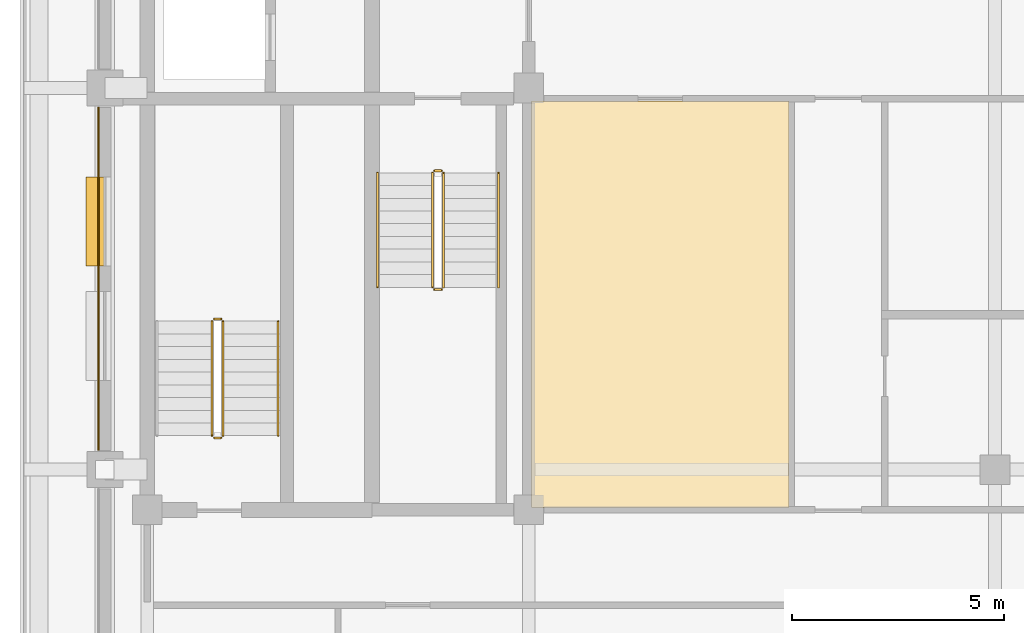
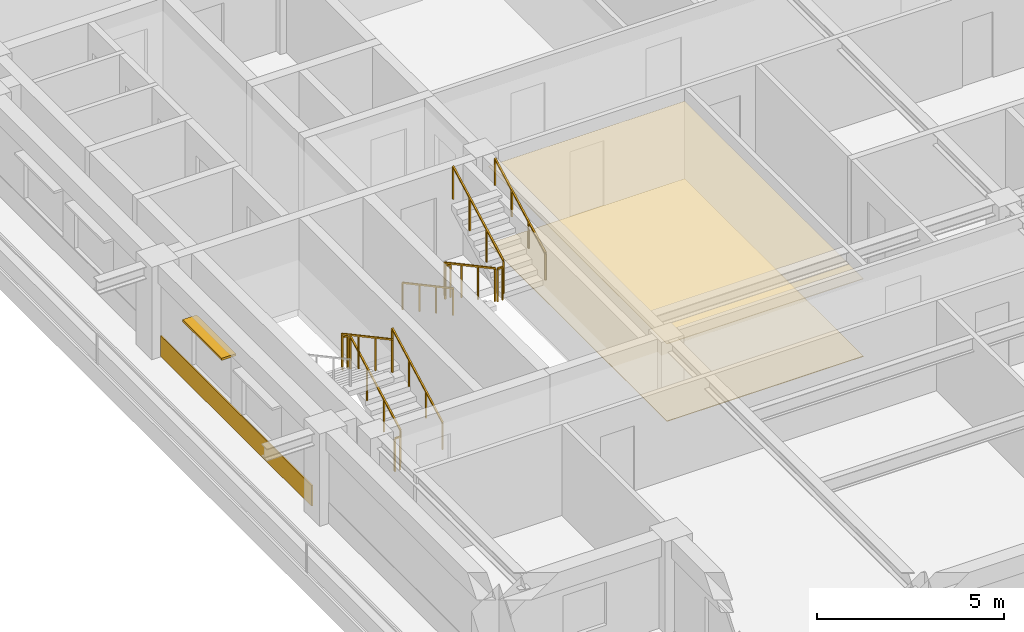
# One storey, part 8 of 11: 11 railings, 3 coverings, 1 shading device.
"""IFC4 building model written with IfcOpenShell, lengths in metres."""

from ifc_helpers import new_model, si_unit, direction, frame, frame_2d, origin, origin_2d, place, context, subcontext, project, spatial, polyline, rectangle, outline, extrude, material, layer, layer_set, type_object, element, save


model = new_model("IFC4")

# Units and contexts
model_context = context("Model", 3, precision=1e-05, world=origin(), true_north=direction((0.0, 1.0)))
body_context = subcontext(model_context, "Body", "Model", "MODEL_VIEW")
ifc_project = project(units=[si_unit("LENGTHUNIT", "METRE"), si_unit("AREAUNIT", "SQUARE_METRE"), si_unit("VOLUMEUNIT", "CUBIC_METRE"), si_unit("PLANEANGLEUNIT", "RADIAN"), si_unit("MASSUNIT", "GRAM", prefix="KILO")], contexts=[model_context])

# Site, building, storey
site_placement = place(None, origin())
site = spatial("IfcSite", under=ifc_project, at=site_placement, CompositionType="ELEMENT")
building_placement = place(site_placement, origin())
building = spatial("IfcBuilding", under=site, at=building_placement, Name="Zulmaris Gate Convention Tower", CompositionType="ELEMENT")
storey_placement = place(building_placement, frame((0.0, 0.0, 230.050048828125)))
storey = spatial("IfcBuildingStorey", under=building, at=storey_placement, Name="L60", CompositionType="ELEMENT", Elevation=230.050048828125)

# Coverings
ifc_material_1 = material(Name="Precast concrete C40/50", Category="concrete")
ifc_layer_1 = layer(ifc_material_1, 0.0400390625, Name="Precast concrete C40/50")
ifc_layer_set_1 = layer_set([ifc_layer_1], Name="Precast concrete C40/50")
covering_type_1 = type_object("IfcCoveringType", Name="CLAD-SPANDREL-PRECAST", PredefinedType="CLADDING", material=ifc_layer_set_1)
covering_1_placement = place(storey_placement, frame((-21.14990234375, -0.455078125, 0.0), z_axis=(0.0, 0.0, 1.0), x_axis=(0.0, -1.0, 0.0)))
element("IfcCovering", 1, at=covering_1_placement, inside=storey, type_object=covering_type_1, Name="CLD-L60-W-1_0", PredefinedType="CLADDING", context=body_context, shape_type="SweptSolid", body=[
    extrude(rectangle(XDim=8.08984375, YDim=0.0400390625, at=frame_2d((4.044921875, 0.0))), origin(), (0.0, 0.0, 1.0), 0.679931640625),
])
ifc_material_2 = material(Name="Mineral Fibre Acoustic Ceiling Tile")
ifc_layer_2 = layer(ifc_material_2, 0.02001953125, Name="Mineral Fibre Acoustic Ceiling Tile")
ifc_layer_set_2 = layer_set([ifc_layer_2], Name="Mineral Fibre Acoustic Ceiling Tile")
covering_type_2 = type_object("IfcCoveringType", Name="CLG-ACOUSTIC-600", PredefinedType="CEILING", material=ifc_layer_set_2)
covering_2_placement = place(storey_placement, frame((0.0, 0.0, 2.537841796875)))
element("IfcCovering", 2, at=covering_2_placement, inside=storey, type_object=covering_type_2, Name="CLG-L60-R44", PredefinedType="CEILING", context=body_context, shape_type="SweptSolid", body=[
    extrude(outline(polyline([(-10.93994140625, -9.889892578125), (-4.860107421875, -9.889892578125), (-4.860107421875, -0.31005859375), (-10.93994140625, -0.31005859375), (-10.93994140625, -9.889892578125)])), origin(), (0.0, 0.0, 1.0), 0.02001953125),
])
ifc_material_3 = material(Name="Woven Acoustic Wool Carpet Tile")
ifc_layer_3 = layer(ifc_material_3, 0.02001953125, Name="Woven Acoustic Wool Carpet Tile")
ifc_layer_set_3 = layer_set([ifc_layer_3], Name="Woven Acoustic Wool Carpet Tile")
covering_type_3 = type_object("IfcCoveringType", Name="FLR-CARPET-12", PredefinedType="FLOORING", material=ifc_layer_set_3)
covering_3_placement = place(storey_placement, origin())
element("IfcCovering", 3, at=covering_3_placement, inside=storey, type_object=covering_type_3, Name="FLR-L60-R44", PredefinedType="FLOORING", context=body_context, shape_type="SweptSolid", body=[
    extrude(outline(polyline([(-10.93994140625, -9.889892578125), (-4.860107421875, -9.889892578125), (-4.860107421875, -0.31005859375), (-10.93994140625, -0.31005859375), (-10.93994140625, -9.889892578125)])), origin(), (0.0, 0.0, 1.0), 0.02001953125),
])

# Railings
ifc_material_4 = material(Name="Painted Galvanised Steel", Category="steel")
railing_type_1 = type_object("IfcRailingType", Name="RL-STG-1150", PredefinedType="GUARDRAIL", material=ifc_material_4)
railing_1_placement = place(storey_placement, frame((-13.27001953125, -2.0, 0.161376953125)))
element("IfcRailing", 4, at=railing_1_placement, inside=storey, type_object=railing_type_1, Name="L60 ST-1 stair guard 1", PredefinedType="GUARDRAIL", context=body_context, shape_type="SweptSolid", body=[
    extrude(rectangle(XDim=0.048095703125, YDim=0.048095703125, at=origin_2d()), frame((0.0, 0.0, 1.076171875), z_axis=(0.0, -0.880499220447, 0.474047595492), x_axis=(1.0, 0.0, 0.0)), (0.0, 0.0, 1.0), 3.06640625),
    extrude(rectangle(XDim=0.0419921875, YDim=0.0419921875, at=origin_2d()), origin(), (0.0, 0.0, 1.0), 1.052001953125),
    extrude(rectangle(XDim=0.0419921875, YDim=0.0419921875, at=origin_2d()), frame((0.0, -0.89990234375, 0.484619140625)), (0.0, 0.0, 1.0), 1.052001953125),
    extrude(rectangle(XDim=0.0419921875, YDim=0.0419921875, at=origin_2d()), frame((0.0, -1.800048828125, 0.968994140625)), (0.0, 0.0, 1.0), 1.052001953125),
    extrude(rectangle(XDim=0.0419921875, YDim=0.0419921875, at=origin_2d()), frame((0.0, -2.699951171875, 1.45361328125)), (0.0, 0.0, 1.0), 1.052001953125),
])
railing_2_placement = place(storey_placement, frame((-13.219970703125, -4.75, 1.614990234375)))
element("IfcRailing", 5, at=railing_2_placement, inside=storey, type_object=railing_type_1, Name="L60 ST-1 stair guard 2", PredefinedType="GUARDRAIL", context=body_context, shape_type="SweptSolid", body=[
    extrude(rectangle(XDim=0.048095703125, YDim=0.048095703125, at=origin_2d()), frame((0.0, 0.0, 1.076171875), z_axis=(1.0, 0.0, 0.0), x_axis=(0.0, 1.0, 0.0)), (0.0, 0.0, 1.0), 0.159912109375),
    extrude(rectangle(XDim=0.0419921875, YDim=0.0419921875, at=origin_2d()), origin(), (0.0, 0.0, 1.0), 1.052001953125),
    extrude(rectangle(XDim=0.0419921875, YDim=0.0419921875, at=origin_2d()), frame((0.159912109375, 0.0, 0.0)), (0.0, 0.0, 1.0), 1.052001953125),
])
railing_3_placement = place(storey_placement, frame((-13.010009765625, -4.699951171875, 1.7763671875)))
element("IfcRailing", 6, at=railing_3_placement, inside=storey, type_object=railing_type_1, Name="L60 ST-1 stair guard 3", PredefinedType="GUARDRAIL", context=body_context, shape_type="SweptSolid", body=[
    extrude(rectangle(XDim=0.048095703125, YDim=0.048095703125, at=origin_2d()), frame((0.0, 0.0, 1.076171875), z_axis=(0.0, 0.880499220447, 0.474047595492), x_axis=(-1.0, 0.0, 0.0)), (0.0, 0.0, 1.0), 3.06640625),
    extrude(rectangle(XDim=0.0419921875, YDim=0.0419921875, at=origin_2d()), origin(), (0.0, 0.0, 1.0), 1.052001953125),
    extrude(rectangle(XDim=0.0419921875, YDim=0.0419921875, at=origin_2d()), frame((0.0, 0.89990234375, 0.484619140625)), (0.0, 0.0, 1.0), 1.052001953125),
    extrude(rectangle(XDim=0.0419921875, YDim=0.0419921875, at=origin_2d()), frame((0.0, 1.800048828125, 0.968994140625)), (0.0, 0.0, 1.0), 1.052001953125),
    extrude(rectangle(XDim=0.0419921875, YDim=0.0419921875, at=origin_2d()), frame((0.0, 2.699951171875, 1.45361328125)), (0.0, 0.0, 1.0), 1.052001953125),
])
railing_4_placement = place(storey_placement, frame((-13.219970703125, -1.949951171875, 0.0)))
element("IfcRailing", 7, at=railing_4_placement, inside=storey, type_object=railing_type_1, Name="L60 ST-1 stair guard 4", PredefinedType="GUARDRAIL", context=body_context, shape_type="SweptSolid", body=[
    extrude(rectangle(XDim=0.048095703125, YDim=0.048095703125, at=origin_2d()), frame((0.0, 0.0, 1.076171875), z_axis=(1.0, 0.0, 0.0), x_axis=(0.0, 1.0, 0.0)), (0.0, 0.0, 1.0), 0.159912109375),
    extrude(rectangle(XDim=0.0419921875, YDim=0.0419921875, at=origin_2d()), origin(), (0.0, 0.0, 1.0), 1.052001953125),
    extrude(rectangle(XDim=0.0419921875, YDim=0.0419921875, at=origin_2d()), frame((0.159912109375, 0.0, 0.0)), (0.0, 0.0, 1.0), 1.052001953125),
])
railing_5_placement = place(storey_placement, frame((-18.2099609375, -8.199951171875, 0.161376953125)))
element("IfcRailing", 8, at=railing_5_placement, inside=storey, type_object=railing_type_1, Name="L60 ST-3 stair guard 1", PredefinedType="GUARDRAIL", context=body_context, shape_type="SweptSolid", body=[
    extrude(rectangle(XDim=0.048095703125, YDim=0.048095703125, at=origin_2d()), frame((0.0, 0.0, 1.076171875), z_axis=(0.0, 0.880499220447, 0.474047595492), x_axis=(-1.0, 0.0, 0.0)), (0.0, 0.0, 1.0), 3.06640625),
    extrude(rectangle(XDim=0.0419921875, YDim=0.0419921875, at=origin_2d()), origin(), (0.0, 0.0, 1.0), 1.052001953125),
    extrude(rectangle(XDim=0.0419921875, YDim=0.0419921875, at=origin_2d()), frame((0.0, 0.89990234375, 0.484619140625)), (0.0, 0.0, 1.0), 1.052001953125),
    extrude(rectangle(XDim=0.0419921875, YDim=0.0419921875, at=origin_2d()), frame((0.0, 1.800048828125, 0.968994140625)), (0.0, 0.0, 1.0), 1.052001953125),
    extrude(rectangle(XDim=0.0419921875, YDim=0.0419921875, at=origin_2d()), frame((0.0, 2.699951171875, 1.45361328125)), (0.0, 0.0, 1.0), 1.052001953125),
])
railing_6_placement = place(storey_placement, frame((-18.260009765625, -5.449951171875, 1.614990234375)))
element("IfcRailing", 9, at=railing_6_placement, inside=storey, type_object=railing_type_1, Name="L60 ST-3 stair guard 2", PredefinedType="GUARDRAIL", context=body_context, shape_type="SweptSolid", body=[
    extrude(rectangle(XDim=0.048095703125, YDim=0.048095703125, at=origin_2d()), frame((0.0, 0.0, 1.076171875), z_axis=(-1.0, 0.0, 0.0), x_axis=(0.0, -1.0, 0.0)), (0.0, 0.0, 1.0), 0.159912109375),
    extrude(rectangle(XDim=0.0419921875, YDim=0.0419921875, at=origin_2d()), origin(), (0.0, 0.0, 1.0), 1.052001953125),
    extrude(rectangle(XDim=0.0419921875, YDim=0.0419921875, at=origin_2d()), frame((-0.159912109375, 0.0, 0.0)), (0.0, 0.0, 1.0), 1.052001953125),
])
railing_7_placement = place(storey_placement, frame((-18.469970703125, -5.5, 1.7763671875)))
element("IfcRailing", 10, at=railing_7_placement, inside=storey, type_object=railing_type_1, Name="L60 ST-3 stair guard 3", PredefinedType="GUARDRAIL", context=body_context, shape_type="SweptSolid", body=[
    extrude(rectangle(XDim=0.048095703125, YDim=0.048095703125, at=origin_2d()), frame((0.0, 0.0, 1.076171875), z_axis=(0.0, -0.880499220447, 0.474047595492), x_axis=(1.0, 0.0, 0.0)), (0.0, 0.0, 1.0), 3.06640625),
    extrude(rectangle(XDim=0.0419921875, YDim=0.0419921875, at=origin_2d()), origin(), (0.0, 0.0, 1.0), 1.052001953125),
    extrude(rectangle(XDim=0.0419921875, YDim=0.0419921875, at=origin_2d()), frame((0.0, -0.89990234375, 0.484619140625)), (0.0, 0.0, 1.0), 1.052001953125),
    extrude(rectangle(XDim=0.0419921875, YDim=0.0419921875, at=origin_2d()), frame((0.0, -1.800048828125, 0.968994140625)), (0.0, 0.0, 1.0), 1.052001953125),
    extrude(rectangle(XDim=0.0419921875, YDim=0.0419921875, at=origin_2d()), frame((0.0, -2.699951171875, 1.45361328125)), (0.0, 0.0, 1.0), 1.052001953125),
])
railing_8_placement = place(storey_placement, frame((-18.260009765625, -8.25, 0.0)))
element("IfcRailing", 11, at=railing_8_placement, inside=storey, type_object=railing_type_1, Name="L60 ST-3 stair guard 4", PredefinedType="GUARDRAIL", context=body_context, shape_type="SweptSolid", body=[
    extrude(rectangle(XDim=0.048095703125, YDim=0.048095703125, at=origin_2d()), frame((0.0, 0.0, 1.076171875), z_axis=(-1.0, 0.0, 0.0), x_axis=(0.0, -1.0, 0.0)), (0.0, 0.0, 1.0), 0.159912109375),
    extrude(rectangle(XDim=0.0419921875, YDim=0.0419921875, at=origin_2d()), origin(), (0.0, 0.0, 1.0), 1.052001953125),
    extrude(rectangle(XDim=0.0419921875, YDim=0.0419921875, at=origin_2d()), frame((-0.159912109375, 0.0, 0.0)), (0.0, 0.0, 1.0), 1.052001953125),
])
ifc_material_5 = material(Name="Brushed Stainless Steel", Category="steel")
railing_type_2 = type_object("IfcRailingType", Name="RL-STH-900", PredefinedType="HANDRAIL", material=ifc_material_5)
railing_9_placement = place(storey_placement, frame((-14.570068359375, -2.0, 0.161376953125)))
element("IfcRailing", 12, at=railing_9_placement, inside=storey, type_object=railing_type_2, Name="L60 ST-1 stair handrail 1", PredefinedType="HANDRAIL", context=body_context, shape_type="SweptSolid", body=[
    extrude(rectangle(XDim=0.048095703125, YDim=0.048095703125, at=origin_2d()), frame((0.0, 0.0, 0.8759765625), z_axis=(0.0, -0.880499220447, 0.474047595492), x_axis=(1.0, 0.0, 0.0)), (0.0, 0.0, 1.0), 3.06640625),
    extrude(rectangle(XDim=0.0419921875, YDim=0.0419921875, at=origin_2d()), origin(), (0.0, 0.0, 1.0), 0.851806640625),
    extrude(rectangle(XDim=0.0419921875, YDim=0.0419921875, at=origin_2d()), frame((0.0, -0.89990234375, 0.484619140625)), (0.0, 0.0, 1.0), 0.851806640625),
    extrude(rectangle(XDim=0.0419921875, YDim=0.0419921875, at=origin_2d()), frame((0.0, -1.800048828125, 0.968994140625)), (0.0, 0.0, 1.0), 0.851806640625),
    extrude(rectangle(XDim=0.0419921875, YDim=0.0419921875, at=origin_2d()), frame((0.0, -2.699951171875, 1.45361328125)), (0.0, 0.0, 1.0), 0.851806640625),
])
for number, where, name in (
    (13, (-11.7099609375, -4.699951171875, 1.7763671875), "L60 ST-1 stair handrail 2"),
    (14, (-16.909912109375, -8.199951171875, 0.161376953125), "L60 ST-3 stair handrail 1"),
):
    element("IfcRailing", number, at=place(storey_placement, frame(where)), inside=storey, type_object=railing_type_2, Name=name, PredefinedType="HANDRAIL", context=body_context, shape_type="SweptSolid", body=[
        extrude(rectangle(XDim=0.048095703125, YDim=0.048095703125, at=origin_2d()), frame((0.0, 0.0, 0.8759765625), z_axis=(0.0, 0.880499220447, 0.474047595492), x_axis=(-1.0, 0.0, 0.0)), (0.0, 0.0, 1.0), 3.06640625),
        extrude(rectangle(XDim=0.0419921875, YDim=0.0419921875, at=origin_2d()), origin(), (0.0, 0.0, 1.0), 0.851806640625),
        extrude(rectangle(XDim=0.0419921875, YDim=0.0419921875, at=origin_2d()), frame((0.0, 0.89990234375, 0.484619140625)), (0.0, 0.0, 1.0), 0.851806640625),
        extrude(rectangle(XDim=0.0419921875, YDim=0.0419921875, at=origin_2d()), frame((0.0, 1.800048828125, 0.968994140625)), (0.0, 0.0, 1.0), 0.851806640625),
        extrude(rectangle(XDim=0.0419921875, YDim=0.0419921875, at=origin_2d()), frame((0.0, 2.699951171875, 1.45361328125)), (0.0, 0.0, 1.0), 0.851806640625),
    ])

# Shading device
ifc_material_6 = material(Name="Glazed Ceramic Terracotta", Category="masonry")
ifc_layer_4 = layer(ifc_material_6, 0.070068359375, Name="Glazed Ceramic Terracotta")
ifc_layer_set_4 = layer_set([ifc_layer_4], Name="Glazed Ceramic Terracotta")
shading_device_type = type_object("IfcShadingDeviceType", Name="SHD-SUNSHADE-TC", PredefinedType="AWNING", material=ifc_layer_set_4)
shading_device_placement = place(storey_placement, frame((-21.219970703125, -2.10205078125, 2.22998046875), z_axis=(0.0, 0.0, 1.0), x_axis=(0.0, -1.0, 0.0)))
element("IfcShadingDevice", 15, at=shading_device_placement, inside=storey, type_object=shading_device_type, Name="SHD-EW-L60-W-1_0-1", PredefinedType="AWNING", context=body_context, shape_type="SweptSolid", body=[
    extrude(rectangle(XDim=2.099853515625, YDim=0.43994140625, at=frame_2d((1.0498046875, 0.0))), origin(), (0.0, 0.0, 1.0), 0.070068359375),
])

save(model, "model.ifc")
